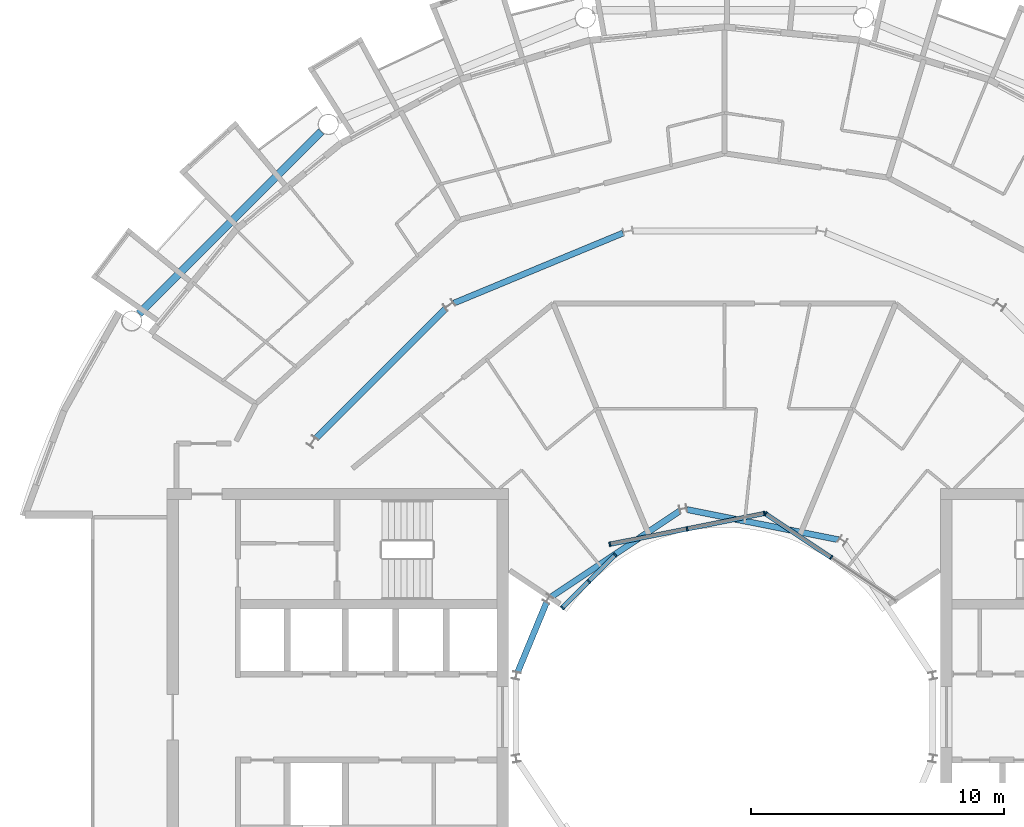
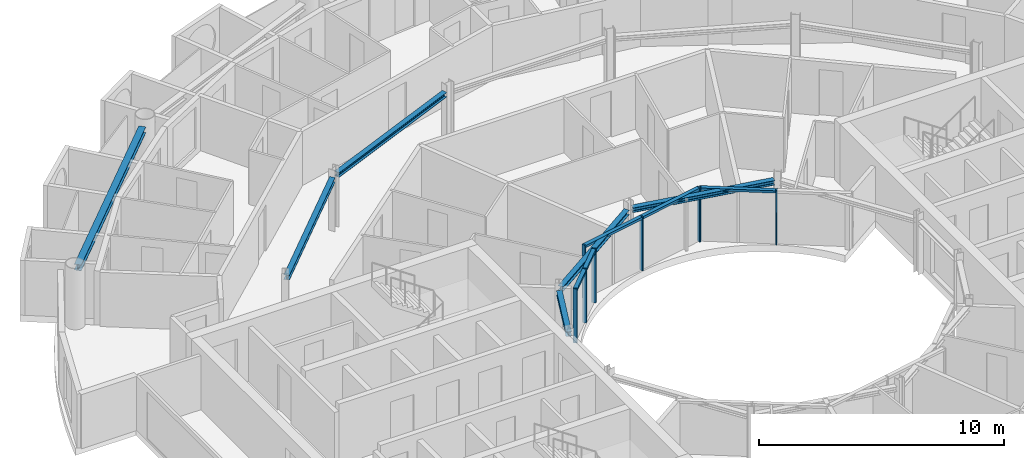
# One storey, part 9 of 29: 13 members, 6 beams, 3 elements without a shape of their own.
"""IFC4 building model written with IfcOpenShell, lengths in metres."""

from ifc_helpers import new_model, si_unit, direction, frame, origin, origin_2d, place, context, subcontext, project, spatial, rectangle, i_section, extrude, material, layer, layer_set, material_profile, profile_set, type_object, element, aggregate, save


model = new_model("IFC4")

# Units and contexts
model_context = context("Model", 3, precision=1e-05, world=origin(), true_north=direction((0.0, 1.0)))
body_context = subcontext(model_context, "Body", "Model", "MODEL_VIEW")
ifc_project = project(units=[si_unit("LENGTHUNIT", "METRE"), si_unit("AREAUNIT", "SQUARE_METRE"), si_unit("VOLUMEUNIT", "CUBIC_METRE"), si_unit("PLANEANGLEUNIT", "RADIAN"), si_unit("MASSUNIT", "GRAM", prefix="KILO")], contexts=[model_context])

# Site, building, storey
site_placement = place(None, origin())
site = spatial("IfcSite", under=ifc_project, at=site_placement, CompositionType="ELEMENT")
building_placement = place(site_placement, origin())
building = spatial("IfcBuilding", under=site, at=building_placement, Name="Maasbend Ring Residences", CompositionType="ELEMENT")
storey_placement = place(building_placement, frame((0.0, 0.0, 212.699951171875)))
storey = spatial("IfcBuildingStorey", under=building, at=storey_placement, Name="L61", CompositionType="ELEMENT", Elevation=212.699951171875)

# Curtain wall, members
ifc_material_1 = material(Name="Aluminium and clear glass", Category="aluminium")
ifc_layer = layer(ifc_material_1, 0.179931640625)
ifc_layer_set = layer_set([ifc_layer], Name="CW-W")
curtain_wall_type = type_object("IfcCurtainWallType", Name="CW-W", PredefinedType="NOTDEFINED", material=ifc_layer_set)
curtain_wall_1_placement = place(storey_placement, origin())
curtain_wall_1 = element("IfcCurtainWall", 1, at=curtain_wall_1_placement, inside=storey, type_object=curtain_wall_type, Name="Well curtain wall N1", PredefinedType="NOTDEFINED")
ifc_material_2 = material(Name="Aluminium 6063-T6", Category="aluminium")
ifc_material_profile_1 = material_profile(ifc_material_2, rectangle(XDim=0.179931640625, YDim=0.06005859375, at=origin_2d()), Name="AL 180x60")
ifc_profile_set_1 = profile_set([ifc_material_profile_1], Name="Aluminium 6063-T6")
member_type_1 = type_object("IfcMemberType", Name="CWM-W", PredefinedType="MULLION", material=ifc_profile_set_1)
member_1_placement = place(storey_placement, frame((4.216796875, 6.310791015625, 0.0), z_axis=(0.0, 0.0, 1.0), x_axis=(-0.55557023302, -0.831469612303, 0.0)))
member_1 = element("IfcMember", 2, at=member_1_placement, type_object=member_type_1, Name="Mullion well face", PredefinedType="MULLION", context=body_context, shape_type="SweptSolid", body=[
    extrude(rectangle(XDim=0.179931640625, YDim=0.06005859375, at=origin_2d()), origin(), (0.0, 0.0, 1.0), 2.699951171875),
])
member_2_placement = place(storey_placement, frame((1.627685546875, 8.040771484375, 0.0), z_axis=(0.0, 0.0, 1.0), x_axis=(-0.55557023302, -0.831469612303, 0.0)))
member_2 = element("IfcMember", 3, at=member_2_placement, type_object=member_type_1, Name="Mullion well face", PredefinedType="MULLION", context=body_context, shape_type="SweptSolid", body=[
    extrude(rectangle(XDim=0.179931640625, YDim=0.06005859375, at=origin_2d()), origin(), (0.0, 0.0, 1.0), 2.699951171875),
])

curtain_wall_2_placement = place(storey_placement, origin())
curtain_wall_2 = element("IfcCurtainWall", 4, at=curtain_wall_2_placement, inside=storey, type_object=curtain_wall_type, Name="Well curtain wall N2", PredefinedType="NOTDEFINED")
member_3_placement = place(storey_placement, frame((1.5732421875, 8.0517578125, 0.0), z_axis=(0.0, 0.0, 1.0), x_axis=(0.195090322016, -0.980785280403, 0.0)))
member_3 = element("IfcMember", 5, at=member_3_placement, type_object=member_type_1, Name="Mullion well face", PredefinedType="MULLION", context=body_context, shape_type="SweptSolid", body=[
    extrude(rectangle(XDim=0.179931640625, YDim=0.06005859375, at=origin_2d()), origin(), (0.0, 0.0, 1.0), 2.699951171875),
])
member_4_placement = place(storey_placement, frame((-1.480712890625, 7.444091796875, 0.0), z_axis=(0.0, 0.0, 1.0), x_axis=(0.195090322016, -0.980785280403, 0.0)))
member_4 = element("IfcMember", 6, at=member_4_placement, type_object=member_type_1, Name="Mullion well face", PredefinedType="MULLION", context=body_context, shape_type="SweptSolid", body=[
    extrude(rectangle(XDim=0.179931640625, YDim=0.06005859375, at=origin_2d()), origin(), (0.0, 0.0, 1.0), 2.699951171875),
])
member_5_placement = place(storey_placement, frame((-4.53466796875, 6.836669921875, 0.0), z_axis=(0.0, 0.0, 1.0), x_axis=(0.195090322016, -0.980785280403, 0.0)))
member_5 = element("IfcMember", 7, at=member_5_placement, type_object=member_type_1, Name="Mullion well face", PredefinedType="MULLION", context=body_context, shape_type="SweptSolid", body=[
    extrude(rectangle(XDim=0.179931640625, YDim=0.06005859375, at=origin_2d()), origin(), (0.0, 0.0, 1.0), 2.699951171875),
])

curtain_wall_3_placement = place(storey_placement, origin())
curtain_wall_3 = element("IfcCurtainWall", 8, at=curtain_wall_3_placement, inside=storey, type_object=curtain_wall_type, Name="Well curtain wall N3", PredefinedType="NOTDEFINED")
member_6_placement = place(storey_placement, frame((-4.320556640625, 6.413330078125, 0.0), z_axis=(0.0, 0.0, 1.0), x_axis=(0.707106781187, -0.707106781187, 0.0)))
member_6 = element("IfcMember", 9, at=member_6_placement, type_object=member_type_1, Name="Mullion well face", PredefinedType="MULLION", context=body_context, shape_type="SweptSolid", body=[
    extrude(rectangle(XDim=0.179931640625, YDim=0.06005859375, at=origin_2d()), origin(), (0.0, 0.0, 1.0), 2.699951171875),
])
member_7_placement = place(storey_placement, frame((-5.366943359375, 5.366943359375, 0.0), z_axis=(0.0, 0.0, 1.0), x_axis=(0.707106781187, -0.707106781187, 0.0)))
member_7 = element("IfcMember", 10, at=member_7_placement, type_object=member_type_1, Name="Mullion well face", PredefinedType="MULLION", context=body_context, shape_type="SweptSolid", body=[
    extrude(rectangle(XDim=0.179931640625, YDim=0.06005859375, at=origin_2d()), origin(), (0.0, 0.0, 1.0), 2.699951171875),
])
member_8_placement = place(storey_placement, frame((-6.413330078125, 4.320556640625, 0.0), z_axis=(0.0, 0.0, 1.0), x_axis=(0.707106781187, -0.707106781187, 0.0)))
member_8 = element("IfcMember", 11, at=member_8_placement, type_object=member_type_1, Name="Mullion well face", PredefinedType="MULLION", context=body_context, shape_type="SweptSolid", body=[
    extrude(rectangle(XDim=0.179931640625, YDim=0.06005859375, at=origin_2d()), origin(), (0.0, 0.0, 1.0), 2.699951171875),
])

# Member
ifc_material_3 = material(Name="Aluminium 6063-T6", Category="aluminium")
ifc_material_profile_2 = material_profile(ifc_material_3, rectangle(XDim=0.179931640625, YDim=0.1201171875, at=origin_2d()), Name="AL 180x120")
ifc_profile_set_2 = profile_set([ifc_material_profile_2], Name="Aluminium 6063-T6")
member_type_2 = type_object("IfcMemberType", Name="CWT-W", PredefinedType="USERDEFINED", material=ifc_profile_set_2)
member_9_placement = place(storey_placement, frame((4.19189453125, 6.32763671875, 2.64013671875), z_axis=(-0.831496422459, 0.555530106689, 0.0), x_axis=(-0.555530106689, -0.831496422459, 0.0)))
member_9 = element("IfcMember", 12, at=member_9_placement, type_object=member_type_2, Name="Transom well face", ObjectType="TRANSOM", PredefinedType="USERDEFINED", context=body_context, shape_type="SweptSolid", body=[
    extrude(rectangle(XDim=0.179931640625, YDim=0.1201171875, at=origin_2d()), origin(), (0.0, 0.0, 1.0), 3.053955078125),
])

aggregate(curtain_wall_1, [member_1, member_2, member_9])

member_10_placement = place(storey_placement, frame((1.5439453125, 8.0458984375, 2.64013671875), z_axis=(-0.980776956105, -0.195132166424, 0.0), x_axis=(0.195132166424, -0.980776956105, 0.0)))
member_10 = element("IfcMember", 13, at=member_10_placement, type_object=member_type_2, Name="Transom well face", ObjectType="TRANSOM", PredefinedType="USERDEFINED", context=body_context, shape_type="SweptSolid", body=[
    extrude(rectangle(XDim=0.179931640625, YDim=0.1201171875, at=origin_2d()), origin(), (0.0, 0.0, 1.0), 3.053955078125),
])

member_11_placement = place(storey_placement, frame((-1.51025390625, 7.438232421875, 2.64013671875), z_axis=(-0.980789210404, -0.19507056353, 0.0), x_axis=(0.19507056353, -0.980789210404, 0.0)))
member_11 = element("IfcMember", 14, at=member_11_placement, type_object=member_type_2, Name="Transom well face", ObjectType="TRANSOM", PredefinedType="USERDEFINED", context=body_context, shape_type="SweptSolid", body=[
    extrude(rectangle(XDim=0.179931640625, YDim=0.1201171875, at=origin_2d()), origin(), (0.0, 0.0, 1.0), 3.0537109375),
])

aggregate(curtain_wall_2, [member_3, member_4, member_5, member_10, member_11])

member_12_placement = place(storey_placement, frame((-4.341796875, 6.39208984375, 2.64013671875), z_axis=(-0.707106781187, -0.707106781187, 0.0), x_axis=(0.707106781187, -0.707106781187, 0.0)))
member_12 = element("IfcMember", 15, at=member_12_placement, type_object=member_type_2, Name="Transom well face", ObjectType="TRANSOM", PredefinedType="USERDEFINED", context=body_context, shape_type="SweptSolid", body=[
    extrude(rectangle(XDim=0.179931640625, YDim=0.1201171875, at=origin_2d()), origin(), (0.0, 0.0, 1.0), 1.419677734375),
])

member_13_placement = place(storey_placement, frame((-5.38818359375, 5.345703125, 2.64013671875), z_axis=(-0.707106781187, -0.707106781187, 0.0), x_axis=(0.707106781187, -0.707106781187, 0.0)))
member_13 = element("IfcMember", 16, at=member_13_placement, type_object=member_type_2, Name="Transom well face", ObjectType="TRANSOM", PredefinedType="USERDEFINED", context=body_context, shape_type="SweptSolid", body=[
    extrude(rectangle(XDim=0.179931640625, YDim=0.1201171875, at=origin_2d()), origin(), (0.0, 0.0, 1.0), 1.419677734375),
])

aggregate(curtain_wall_3, [member_6, member_7, member_8, member_12, member_13])

# Beams
ifc_material_4 = material(Name="Steel S355J2", Category="steel")
ifc_material_profile_3 = material_profile(ifc_material_4, i_section(OverallWidth=0.239990234375, OverallDepth=0.22998046875, WebThickness=0.007568359375, FlangeThickness=0.011962890625, FilletRadius=0.02099609375, at=origin_2d()), Name="HEA 240")
ifc_profile_set_3 = profile_set([ifc_material_profile_3], Name="Steel S355J2")
beam_type_1 = type_object("IfcBeamType", Name="Corridor ring beam HEA 240", PredefinedType="BEAM", material=ifc_profile_set_3)
beam_1_placement = place(storey_placement, frame((-4.01220703125, 19.1455078125, 2.5849609375), z_axis=(-0.923865162022, -0.382718123952, 0.0), x_axis=(0.382718123952, -0.923865162022, 0.0)))
element("IfcBeam", 17, at=beam_1_placement, inside=storey, type_object=beam_type_1, Name="Corridor ring beam", PredefinedType="BEAM", context=body_context, shape_type="SweptSolid", body=[
    extrude(i_section(OverallWidth=0.239990234375, OverallDepth=0.22998046875, WebThickness=0.007568359375, FlangeThickness=0.011962890625, FilletRadius=0.02099609375, at=origin_2d()), origin(), (0.0, 0.0, 1.0), 7.23974609375),
])
beam_2_placement = place(storey_placement, frame((-11.033447265625, 16.152587890625, 2.5849609375), z_axis=(-0.707106781187, -0.707106781187, 0.0), x_axis=(0.707106781187, -0.707106781187, 0.0)))
element("IfcBeam", 18, at=beam_2_placement, inside=storey, type_object=beam_type_1, Name="Corridor ring beam", PredefinedType="BEAM", context=body_context, shape_type="SweptSolid", body=[
    extrude(i_section(OverallWidth=0.239990234375, OverallDepth=0.22998046875, WebThickness=0.007568359375, FlangeThickness=0.011962890625, FilletRadius=0.02099609375, at=origin_2d()), origin(), (0.0, 0.0, 1.0), 7.239501953125),
])
ifc_material_5 = material(Name="Steel S355J2", Category="steel")
ifc_material_profile_4 = material_profile(ifc_material_5, i_section(OverallWidth=0.300048828125, OverallDepth=0.300048828125, WebThickness=0.010986328125, FlangeThickness=0.01904296875, FilletRadius=0.027099609375, at=origin_2d()), Name="HEB 300")
ifc_profile_set_4 = profile_set([ifc_material_profile_4], Name="Steel S355J2")
beam_type_2 = type_object("IfcBeamType", Name="Spandrel ring beam HEB 300", PredefinedType="SPANDREL", material=ifc_profile_set_4)
beam_3_placement = place(storey_placement, frame((-15.95458984375, 23.159912109375, 2.550048828125), z_axis=(-0.707106781187, -0.707106781187, 0.0), x_axis=(0.707106781187, -0.707106781187, 0.0)))
element("IfcBeam", 19, at=beam_3_placement, inside=storey, type_object=beam_type_2, Name="Spandrel ring beam", PredefinedType="SPANDREL", context=body_context, shape_type="SweptSolid", body=[
    extrude(i_section(OverallWidth=0.300048828125, OverallDepth=0.300048828125, WebThickness=0.010986328125, FlangeThickness=0.01904296875, FilletRadius=0.027099609375, at=origin_2d()), origin(), (0.0, 0.0, 1.0), 10.18994140625),
])
ifc_material_6 = material(Name="Steel S355J2", Category="steel")
ifc_material_profile_5 = material_profile(ifc_material_6, i_section(OverallWidth=0.239990234375, OverallDepth=0.22998046875, WebThickness=0.007568359375, FlangeThickness=0.011962890625, FilletRadius=0.02099609375, at=origin_2d()), Name="HEA 240")
ifc_profile_set_5 = profile_set([ifc_material_profile_5], Name="Steel S355J2")
beam_type_3 = type_object("IfcBeamType", Name="Well edge beam HEA 240", PredefinedType="BEAM", material=ifc_profile_set_5)
for number, where, z_axis, x_axis, name in (
    (20, (4.512939453125, 7.014892578125, 2.5849609375), (-0.980782836869, 0.195102606089, 0.0), (-0.195102606089, -0.980782836869, 0.0), "Well edge beam"),
    (21, (-1.769287109375, 8.1513671875, 2.5849609375), (-0.831460175376, -0.555584356119, 0.0), (0.555584356119, -0.831460175376, 0.0), "Well edge beam"),
):
    element("IfcBeam", number, at=place(storey_placement, frame(where, z_axis=z_axis, x_axis=x_axis)), inside=storey, type_object=beam_type_3, Name=name, PredefinedType="BEAM", context=body_context, shape_type="SweptSolid", body=[
        extrude(i_section(OverallWidth=0.239990234375, OverallDepth=0.22998046875, WebThickness=0.007568359375, FlangeThickness=0.011962890625, FilletRadius=0.02099609375, at=origin_2d()), origin(), (0.0, 0.0, 1.0), 6.115234375),
    ])
beam_4_placement = place(storey_placement, frame((-7.041015625, 4.5302734375, 2.5849609375), z_axis=(-0.382614534057, -0.923908068115, 0.0), x_axis=(0.923908068115, -0.382614534057, 0.0)))
element("IfcBeam", 22, at=beam_4_placement, inside=storey, type_object=beam_type_3, Name="Well edge beam", PredefinedType="BEAM", context=body_context, shape_type="SweptSolid", body=[
    extrude(i_section(OverallWidth=0.239990234375, OverallDepth=0.22998046875, WebThickness=0.007568359375, FlangeThickness=0.011962890625, FilletRadius=0.02099609375, at=origin_2d()), origin(), (0.0, 0.0, 1.0), 2.981689453125),
])

save(model, "model.ifc")
